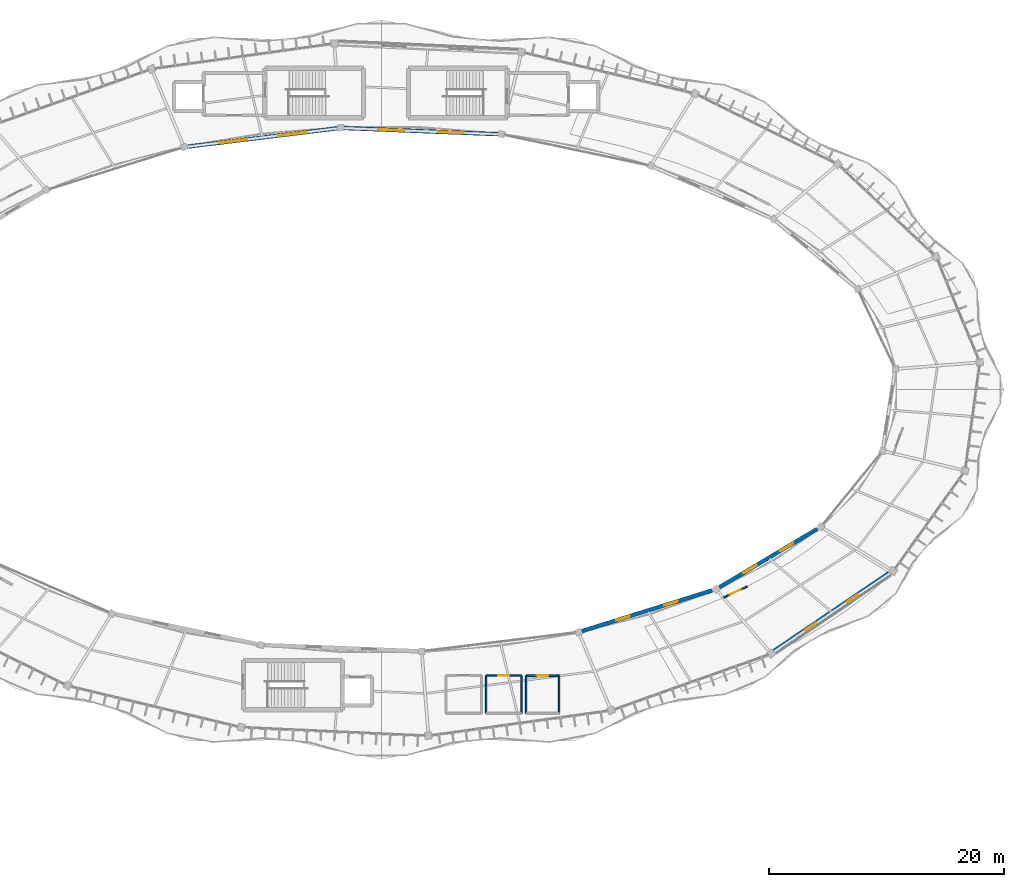
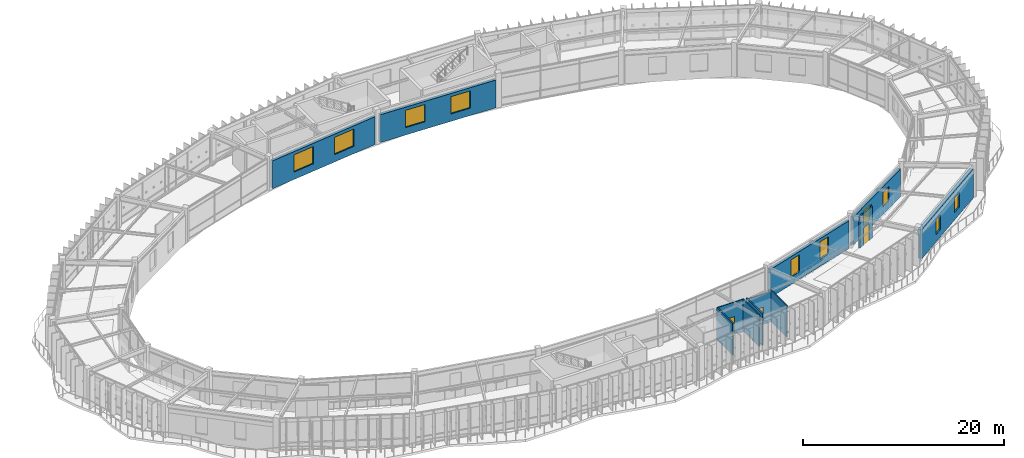
# One storey, part 70 of 83: 12 walls, 10 windows, 3 doors, 13 openings.
"""IFC4 building model written with IfcOpenShell, lengths in metres."""

import ifcopenshell
import ifcopenshell.guid

model = None  # the IFC model being written
_history = None  # IfcOwnerHistory: only IFC2X3 demands one
_inside = {}  # id of a spatial element -> (the spatial element, [elements in it])
_under = {}  # id of a project, library or spatial element -> (it, [spatial elements below it])
_declared = {}  # id of a project -> (the project, [libraries it declares])
_typed = {}  # id of a type object -> (the type object, [elements of that type])
_made_of = {}  # id of a material, layer set ... -> (it, [elements and type objects made of it])


def new_model(schema):
    """Start an empty IFC model of exactly this schema.

    Asked for "IFC4X3", IfcOpenShell would pick the latest addendum, in which some entities
    have other attributes; the version numbers below select the first issue.
    IFC2X3 requires an IfcOwnerHistory on every rooted entity: one is made here for all.
    """
    global model, _history
    if schema == "IFC4X3":
        model = ifcopenshell.file(schema_version=(4, 3, 0, 0))
    else:
        model = ifcopenshell.file(schema=schema)
    _inside.clear()
    _under.clear()
    _declared.clear()
    _typed.clear()
    _made_of.clear()
    _history = None
    if model.schema == "IFC2X3":
        org = make("IfcOrganization", Name="unknown")
        user = make(
            "IfcPersonAndOrganization",
            ThePerson=make("IfcPerson", FamilyName="unknown"),
            TheOrganization=org,
        )
        app = make(
            "IfcApplication",
            ApplicationDeveloper=org,
            Version="unknown",
            ApplicationFullName="unknown",
            ApplicationIdentifier="unknown",
        )
        _history = make(
            "IfcOwnerHistory",
            OwningUser=user,
            OwningApplication=app,
            ChangeAction="ADDED",
            CreationDate=0,
        )
    return model


def make(cls, **values):
    """One entity of the class cls with the attributes given. An attribute that is None is left unset."""
    return model.create_entity(
        cls, **{name: value for name, value in values.items() if value is not None}
    )


def rooted(cls, **values):
    """An entity with a GlobalId (a new one), such as an element, a storey or a relation."""
    return make(cls, GlobalId=ifcopenshell.guid.new(), OwnerHistory=_history, **values)


def si_unit(unit_type, name, prefix=None):
    """IfcSIUnit, for example si_unit("LENGTHUNIT", "METRE", prefix="MILLI")."""
    return make("IfcSIUnit", UnitType=unit_type, Prefix=prefix, Name=name)


def assignment(units):
    """IfcUnitAssignment: the units of a project."""
    return None if units is None else make("IfcUnitAssignment", Units=units)


def point(xyz):
    """IfcCartesianPoint."""
    return None if xyz is None else make("IfcCartesianPoint", Coordinates=xyz)


def direction(xyz):
    """IfcDirection."""
    return None if xyz is None else make("IfcDirection", DirectionRatios=xyz)


def frame(location, z_axis=None, x_axis=None):
    """IfcAxis2Placement3D, a coordinate frame: its origin and axes. An axis left out is left unset."""
    return make(
        "IfcAxis2Placement3D",
        Location=point(location),
        Axis=direction(z_axis),
        RefDirection=direction(x_axis),
    )


def frame_2d(location, x_axis=None):
    """IfcAxis2Placement2D, a coordinate frame in the plane: its origin and x axis."""
    return make(
        "IfcAxis2Placement2D", Location=point(location), RefDirection=direction(x_axis)
    )


def origin():
    """The frame at (0, 0, 0) with its axes left unset."""
    return frame((0.0, 0.0, 0.0))


def place(relative_to, where):
    """IfcLocalPlacement: puts the frame where relative to a parent placement (None: the world)."""
    return make(
        "IfcLocalPlacement", PlacementRelTo=relative_to, RelativePlacement=where
    )


def context(
    kind, dimensions, precision=None, world=None, true_north=None, identifier=None
):
    """IfcGeometricRepresentationContext, for example the 3D "Model" context."""
    return make(
        "IfcGeometricRepresentationContext",
        ContextIdentifier=identifier,
        ContextType=kind,
        CoordinateSpaceDimension=dimensions,
        Precision=precision,
        WorldCoordinateSystem=world,
        TrueNorth=true_north,
    )


def subcontext(parent, identifier, kind, view, scale=None):
    """IfcGeometricRepresentationSubContext, for example "Body" below "Model"."""
    return make(
        "IfcGeometricRepresentationSubContext",
        ContextIdentifier=identifier,
        ContextType=kind,
        ParentContext=parent,
        TargetScale=scale,
        TargetView=view,
    )


def project(units=None, contexts=None):
    """IfcProject with its units and contexts."""
    return rooted(
        "IfcProject",
        Name="project",
        RepresentationContexts=contexts,
        UnitsInContext=assignment(units),
    )


def spatial(cls, under=None, at=None, **own):
    """A site, building, storey or space (cls), placed at a placement, below another one or the project."""
    s = rooted(cls, ObjectPlacement=at, **own)
    if under is not None:
        _under.setdefault(under.id(), (under, []))[1].append(s)
    return s


def profile(cls, at=None, kind="AREA", **sizes):
    """A parametric profile (cls). Its sizes go by their IFC names, for example OverallWidth=200.0."""
    return make(cls, ProfileType=kind, Position=at, **sizes)


def rectangle(**sizes):
    """IfcRectangleProfileDef."""
    return profile("IfcRectangleProfileDef", **sizes)


def extrude(swept, where, along, depth):
    """IfcExtrudedAreaSolid: the profile swept, set in the frame where, extruded along a direction by depth."""
    return make(
        "IfcExtrudedAreaSolid",
        SweptArea=swept,
        Position=where,
        ExtrudedDirection=direction(along),
        Depth=depth,
    )


def shape(context_of_items, identifier, shape_type, items):
    """IfcShapeRepresentation: the items that make up one representation, for example the "Body"."""
    return make(
        "IfcShapeRepresentation",
        ContextOfItems=context_of_items,
        RepresentationIdentifier=identifier,
        RepresentationType=shape_type,
        Items=items,
    )


def material(Name=None, Category=None):
    """IfcMaterial."""
    return make("IfcMaterial", Name=Name, Category=Category)


def layer(
    of_material, thickness, ventilated=None, Name=None, Category=None, Priority=None
):
    """IfcMaterialLayer: one layer of a wall or slab, of a material (None: an air gap)."""
    return make(
        "IfcMaterialLayer",
        Material=of_material,
        LayerThickness=thickness,
        IsVentilated=ventilated,
        Name=Name,
        Category=Category,
        Priority=Priority,
    )


def layer_set(layers, Name=None):
    """IfcMaterialLayerSet."""
    return make("IfcMaterialLayerSet", MaterialLayers=layers, LayerSetName=Name)


def made_of(thing, what):
    """Note that an element or type object is made of a material, layer set ...; save() writes the relation."""
    if what is not None:
        _made_of.setdefault(what.id(), (what, []))[1].append(thing)
    return thing


def type_object(cls, material=None, **own):
    """A type object (cls), such as IfcWallType, which elements share."""
    return made_of(rooted(cls, **own), material)


def element(
    cls,
    number,
    at=None,
    inside=None,
    cuts=None,
    type_object=None,
    material=None,
    context=None,
    identifier="Body",
    shape_type=None,
    held_by="IfcProductDefinitionShape",
    body=None,
    shapes=None,
    **own,
):
    """One element of the class cls, such as IfcWall. Its Tag is "e" and its number.

    at: its placement. inside: the storey or other place that contains it. cuts: it is an
    opening in that element (IfcRelVoidsElement). A single representation is given by context,
    identifier, shape_type and body (its items); several are given by shapes. held_by: the class
    of the entity that holds the representations. save() writes the other relations.
    """
    e = rooted(cls, Tag="e%d" % number, ObjectPlacement=at, **own)
    if body is not None:
        shapes = [shape(context, identifier, shape_type, body)]
    if shapes is not None:
        e.Representation = make(held_by, Representations=shapes)
    if inside is not None:
        _inside.setdefault(inside.id(), (inside, []))[1].append(e)
    if cuts is not None:
        rooted(
            "IfcRelVoidsElement", RelatingBuildingElement=cuts, RelatedOpeningElement=e
        )
    if type_object is not None:
        _typed.setdefault(type_object.id(), (type_object, []))[1].append(e)
    return made_of(e, material)


def fill(opening, filler):
    """IfcRelFillsElement: the door or window that sits in an opening."""
    return rooted(
        "IfcRelFillsElement",
        RelatingOpeningElement=opening,
        RelatedBuildingElement=filler,
    )


def aggregate(whole, parts):
    """IfcRelAggregates: a whole, such as a stair, and the parts it consists of."""
    return rooted("IfcRelAggregates", RelatingObject=whole, RelatedObjects=parts)


def save(model, path):
    """Write the relations noted so far, then the file.

    IfcRelAggregates (storeys below a building ...), IfcRelContainedInSpatialStructure (elements
    in a storey), IfcRelDefinesByType, IfcRelAssociatesMaterial and IfcRelDeclares: one each for
    every whole, place, type object, material and project.
    """
    for whole, parts in _under.values():
        aggregate(whole, parts)
    for where, things in _inside.values():
        rooted(
            "IfcRelContainedInSpatialStructure",
            RelatedElements=things,
            RelatingStructure=where,
        )
    for kind, things in _typed.values():
        rooted("IfcRelDefinesByType", RelatedObjects=things, RelatingType=kind)
    for what, things in _made_of.values():
        rooted("IfcRelAssociatesMaterial", RelatedObjects=things, RelatingMaterial=what)
    for by, libraries in _declared.values():
        rooted("IfcRelDeclares", RelatingContext=by, RelatedDefinitions=libraries)
    model.write(path)


model = new_model("IFC4")

# Units and contexts
model_context = context("Model", 3, precision=1e-05, world=origin(), true_north=direction((0.0, 1.0)))
body_context = subcontext(model_context, "Body", "Model", "MODEL_VIEW")
ifc_project = project(units=[si_unit("LENGTHUNIT", "METRE"), si_unit("AREAUNIT", "SQUARE_METRE"), si_unit("VOLUMEUNIT", "CUBIC_METRE"), si_unit("PLANEANGLEUNIT", "RADIAN"), si_unit("MASSUNIT", "GRAM", prefix="KILO"), si_unit("THERMODYNAMICTEMPERATUREUNIT", "KELVIN"), si_unit("POWERUNIT", "WATT")], contexts=[model_context])

# Site, building, storey
site_placement = place(None, origin())
site = spatial("IfcSite", under=ifc_project, at=site_placement, CompositionType="ELEMENT")
building_placement = place(site_placement, origin())
building = spatial("IfcBuilding", under=site, at=building_placement, Name="Darbajah Civic Hall", CompositionType="ELEMENT")
storey_placement = place(building_placement, frame((0.0, 0.0, 18.0)))
storey = spatial("IfcBuildingStorey", under=building, at=storey_placement, Name="L04", CompositionType="ELEMENT", Elevation=18.0)

# Wall, openings, windows
ifc_material_1 = material(Name="Qatari Desert Limestone Ashlar", Category="masonry")
ifc_layer_1 = layer(ifc_material_1, 0.340087890625, Name="Qatari Desert Limestone Ashlar")
ifc_layer_set_1 = layer_set([ifc_layer_1], Name="Qatari Desert Limestone Ashlar")
wall_type_1 = type_object("IfcWallType", Name="Exterior Wall 340mm", PredefinedType="SOLIDWALL", material=ifc_layer_set_1)
wall_1_placement = place(storey_placement, frame((99.0, 111.496826171875, 0.0), z_axis=(0.0, 0.0, 1.0), x_axis=(-0.999197725269, 0.040048792968, 0.0)))
wall_1 = element("IfcWall", 1, at=wall_1_placement, inside=storey, type_object=wall_type_1, Name="L04 exterior wall EW-340", PredefinedType="SOLIDWALL", context=body_context, shape_type="SweptSolid", body=[
    extrude(rectangle(XDim=13.03955078125, YDim=0.340087890625, at=frame_2d((6.519775390625, 0.0))), origin(), (0.0, 0.0, 1.0), 3.386962890625),
])
opening_1_placement = place(wall_1_placement, frame((2.8798828125, 0.0, 0.89990234375)))
opening_1 = element("IfcOpeningElement", 2, at=opening_1_placement, cuts=wall_1, Name="Opening WN-07", PredefinedType="OPENING", context=body_context, shape_type="SweptSolid", body=[
    extrude(rectangle(XDim=2.199951171875, YDim=2.10009765625, at=frame_2d((1.10009765625, 1.050048828125))), frame((0.0, 0.179931640625, 0.0), z_axis=(0.0, -1.0, 0.0), x_axis=(1.0, 0.0, 0.0)), (0.0, 0.0, 1.0), 0.360107421875),
])
opening_2_placement = place(wall_1_placement, frame((7.959716796875, 0.0, 0.89990234375)))
opening_2 = element("IfcOpeningElement", 3, at=opening_2_placement, cuts=wall_1, Name="Opening WN-07", PredefinedType="OPENING", context=body_context, shape_type="SweptSolid", body=[
    extrude(rectangle(XDim=2.199951171875, YDim=2.10009765625, at=frame_2d((1.10009765625, 1.050048828125))), frame((0.0, 0.179931640625, 0.0), z_axis=(0.0, -1.0, 0.0), x_axis=(1.0, 0.0, 0.0)), (0.0, 0.0, 1.0), 0.360107421875),
])
ifc_material_2 = material(Name="Low-E Solar Control Double Glazing", Category="glass")
window_type_1 = type_object("IfcWindowType", Name="Facade Window 2200x2100", PartitioningType="DOUBLE_PANEL_VERTICAL", PredefinedType="WINDOW", material=ifc_material_2)
window_1_placement = place(opening_1_placement, origin())
window_1 = element("IfcWindow", 4, at=window_1_placement, inside=storey, type_object=window_type_1, Name="L04 facade window WN-07", OverallHeight=2.10009765625, OverallWidth=2.199951171875, PartitioningType="SINGLE_PANEL", PredefinedType="WINDOW", context=body_context, shape_type="SweptSolid", body=[
    extrude(rectangle(XDim=2.199951171875, YDim=2.10009765625, at=frame_2d((1.10009765625, 1.050048828125))), frame((0.0, 0.030029296875, 0.0), z_axis=(0.0, -1.0, 0.0), x_axis=(1.0, 0.0, 0.0)), (0.0, 0.0, 1.0), 0.06005859375),
])
fill(opening_1, window_1)
window_2_placement = place(opening_2_placement, origin())
window_2 = element("IfcWindow", 5, at=window_2_placement, inside=storey, type_object=window_type_1, Name="L04 facade window WN-07", OverallHeight=2.10009765625, OverallWidth=2.199951171875, PartitioningType="SINGLE_PANEL", PredefinedType="WINDOW", context=body_context, shape_type="SweptSolid", body=[
    extrude(rectangle(XDim=2.199951171875, YDim=2.10009765625, at=frame_2d((1.10009765625, 1.050048828125))), frame((0.0, 0.030029296875, 0.0), z_axis=(0.0, -1.0, 0.0), x_axis=(1.0, 0.0, 0.0)), (0.0, 0.0, 1.0), 0.06005859375),
])
fill(opening_2, window_2)

wall_2_placement = place(storey_placement, frame((85.376953125, 111.996337890625, 0.0), z_axis=(0.0, 0.0, 1.0), x_axis=(-0.992611500808, -0.12133593229, 0.0)))
wall_2 = element("IfcWall", 6, at=wall_2_placement, inside=storey, type_object=wall_type_1, Name="L04 exterior wall EW-340", PredefinedType="SOLIDWALL", context=body_context, shape_type="SweptSolid", body=[
    extrude(rectangle(XDim=12.794921875, YDim=0.340087890625, at=frame_2d((6.3974609375, 0.0))), origin(), (0.0, 0.0, 1.0), 3.386962890625),
])
opening_3_placement = place(wall_2_placement, frame((2.6650390625, 0.0, 0.89990234375)))
opening_3 = element("IfcOpeningElement", 7, at=opening_3_placement, cuts=wall_2, Name="Opening WN-08", PredefinedType="OPENING", context=body_context, shape_type="SweptSolid", body=[
    extrude(rectangle(XDim=2.39990234375, YDim=2.10009765625, at=frame_2d((1.199951171875, 1.050048828125))), frame((0.0, 0.179931640625, 0.0), z_axis=(0.0, -1.0, 0.0), x_axis=(1.0, 0.0, 0.0)), (0.0, 0.0, 1.0), 0.360107421875),
])
opening_4_placement = place(wall_2_placement, frame((7.72998046875, 0.0, 0.89990234375)))
opening_4 = element("IfcOpeningElement", 8, at=opening_4_placement, cuts=wall_2, Name="Opening WN-08", PredefinedType="OPENING", context=body_context, shape_type="SweptSolid", body=[
    extrude(rectangle(XDim=2.39990234375, YDim=2.10009765625, at=frame_2d((1.199951171875, 1.050048828125))), frame((0.0, 0.179931640625, 0.0), z_axis=(0.0, -1.0, 0.0), x_axis=(1.0, 0.0, 0.0)), (0.0, 0.0, 1.0), 0.360107421875),
])
window_type_2 = type_object("IfcWindowType", Name="Facade Window 2400x2100", PartitioningType="DOUBLE_PANEL_VERTICAL", PredefinedType="WINDOW", material=ifc_material_2)
window_3_placement = place(opening_3_placement, origin())
window_3 = element("IfcWindow", 9, at=window_3_placement, inside=storey, type_object=window_type_2, Name="L04 facade window WN-08", OverallHeight=2.10009765625, OverallWidth=2.39990234375, PartitioningType="SINGLE_PANEL", PredefinedType="WINDOW", context=body_context, shape_type="SweptSolid", body=[
    extrude(rectangle(XDim=2.39990234375, YDim=2.10009765625, at=frame_2d((1.199951171875, 1.050048828125))), frame((0.0, 0.030029296875, 0.0), z_axis=(0.0, -1.0, 0.0), x_axis=(1.0, 0.0, 0.0)), (0.0, 0.0, 1.0), 0.06005859375),
])
fill(opening_3, window_3)
window_4_placement = place(opening_4_placement, origin())
window_4 = element("IfcWindow", 10, at=window_4_placement, inside=storey, type_object=window_type_2, Name="L04 facade window WN-08", OverallHeight=2.10009765625, OverallWidth=2.39990234375, PartitioningType="SINGLE_PANEL", PredefinedType="WINDOW", context=body_context, shape_type="SweptSolid", body=[
    extrude(rectangle(XDim=2.39990234375, YDim=2.10009765625, at=frame_2d((1.199951171875, 1.050048828125))), frame((0.0, 0.030029296875, 0.0), z_axis=(0.0, -1.0, 0.0), x_axis=(1.0, 0.0, 0.0)), (0.0, 0.0, 1.0), 0.06005859375),
])
fill(opening_4, window_4)

wall_3_placement = place(storey_placement, frame((106.148681640625, 69.287109375, 0.0), z_axis=(0.0, 0.0, 1.0), x_axis=(0.95461610315, 0.297839043119, 0.0)))
wall_3 = element("IfcWall", 11, at=wall_3_placement, inside=storey, type_object=wall_type_1, Name="L04 exterior wall EW-340", PredefinedType="SOLIDWALL", context=body_context, shape_type="SweptSolid", body=[
    extrude(rectangle(XDim=11.575927734375, YDim=0.340087890625, at=frame_2d((5.7880859375, 0.0))), origin(), (0.0, 0.0, 1.0), 3.386962890625),
])
opening_5_placement = place(wall_3_placement, frame((3.05859375, 0.0, 0.89990234375)))
opening_5 = element("IfcOpeningElement", 12, at=opening_5_placement, cuts=wall_3, Name="Opening WN-01", PredefinedType="OPENING", context=body_context, shape_type="SweptSolid", body=[
    extrude(rectangle(XDim=1.199951171875, YDim=2.10009765625, at=frame_2d((0.60009765625, 1.050048828125))), frame((0.0, 0.179931640625, 0.0), z_axis=(0.0, -1.0, 0.0), x_axis=(1.0, 0.0, 0.0)), (0.0, 0.0, 1.0), 0.360107421875),
])
opening_6_placement = place(wall_3_placement, frame((7.3173828125, 0.0, 0.89990234375)))
opening_6 = element("IfcOpeningElement", 13, at=opening_6_placement, cuts=wall_3, Name="Opening WN-01", PredefinedType="OPENING", context=body_context, shape_type="SweptSolid", body=[
    extrude(rectangle(XDim=1.199951171875, YDim=2.10009765625, at=frame_2d((0.60009765625, 1.050048828125))), frame((0.0, 0.179931640625, 0.0), z_axis=(0.0, -1.0, 0.0), x_axis=(1.0, 0.0, 0.0)), (0.0, 0.0, 1.0), 0.360107421875),
])
window_type_3 = type_object("IfcWindowType", Name="Facade Window 1200x2100", PartitioningType="SINGLE_PANEL", PredefinedType="WINDOW", material=ifc_material_2)
window_5_placement = place(opening_5_placement, origin())
window_5 = element("IfcWindow", 14, at=window_5_placement, inside=storey, type_object=window_type_3, Name="L04 facade window WN-01", OverallHeight=2.10009765625, OverallWidth=1.199951171875, PartitioningType="SINGLE_PANEL", PredefinedType="WINDOW", context=body_context, shape_type="SweptSolid", body=[
    extrude(rectangle(XDim=1.199951171875, YDim=2.10009765625, at=frame_2d((0.60009765625, 1.050048828125))), frame((0.0, 0.030029296875, 0.0), z_axis=(0.0, -1.0, 0.0), x_axis=(1.0, 0.0, 0.0)), (0.0, 0.0, 1.0), 0.06005859375),
])
fill(opening_5, window_5)
window_6_placement = place(opening_6_placement, origin())
window_6 = element("IfcWindow", 15, at=window_6_placement, inside=storey, type_object=window_type_3, Name="L04 facade window WN-01", OverallHeight=2.10009765625, OverallWidth=1.199951171875, PartitioningType="SINGLE_PANEL", PredefinedType="WINDOW", context=body_context, shape_type="SweptSolid", body=[
    extrude(rectangle(XDim=1.199951171875, YDim=2.10009765625, at=frame_2d((0.60009765625, 1.050048828125))), frame((0.0, 0.030029296875, 0.0), z_axis=(0.0, -1.0, 0.0), x_axis=(1.0, 0.0, 0.0)), (0.0, 0.0, 1.0), 0.06005859375),
])
fill(opening_6, window_6)

wall_4_placement = place(storey_placement, frame((117.8203125, 73.00634765625, 0.0), z_axis=(0.0, 0.0, 1.0), x_axis=(0.858944411185, 0.512068841558, 0.0)))
wall_4 = element("IfcWall", 16, at=wall_4_placement, inside=storey, type_object=wall_type_1, Name="L04 exterior wall EW-340", PredefinedType="SOLIDWALL", context=body_context, shape_type="SweptSolid", body=[
    extrude(rectangle(XDim=9.66845703125, YDim=0.340087890625, at=frame_2d((4.834228515625, 0.0))), origin(), (0.0, 0.0, 1.0), 3.386962890625),
])
opening_7_placement = place(wall_4_placement, frame((2.356201171875, 0.0, 0.89990234375)))
opening_7 = element("IfcOpeningElement", 17, at=opening_7_placement, cuts=wall_4, Name="Opening WN-18", PredefinedType="OPENING", context=body_context, shape_type="SweptSolid", body=[
    extrude(rectangle(XDim=1.300048828125, YDim=1.800048828125, at=frame_2d((0.64990234375, 0.89990234375))), frame((0.0, 0.179931640625, 0.0), z_axis=(0.0, -1.0, 0.0), x_axis=(1.0, 0.0, 0.0)), (0.0, 0.0, 1.0), 0.360107421875),
])
opening_8_placement = place(wall_4_placement, frame((6.01220703125, 0.0, 0.89990234375)))
opening_8 = element("IfcOpeningElement", 18, at=opening_8_placement, cuts=wall_4, Name="Opening WN-18", PredefinedType="OPENING", context=body_context, shape_type="SweptSolid", body=[
    extrude(rectangle(XDim=1.300048828125, YDim=1.800048828125, at=frame_2d((0.64990234375, 0.89990234375))), frame((0.0, 0.179931640625, 0.0), z_axis=(0.0, -1.0, 0.0), x_axis=(1.0, 0.0, 0.0)), (0.0, 0.0, 1.0), 0.360107421875),
])
window_type_4 = type_object("IfcWindowType", Name="Facade Window 1300x1800", PartitioningType="SINGLE_PANEL", PredefinedType="WINDOW", material=ifc_material_2)
window_7_placement = place(opening_7_placement, origin())
window_7 = element("IfcWindow", 19, at=window_7_placement, inside=storey, type_object=window_type_4, Name="L04 facade window WN-18", OverallHeight=1.800048828125, OverallWidth=1.300048828125, PartitioningType="SINGLE_PANEL", PredefinedType="WINDOW", context=body_context, shape_type="SweptSolid", body=[
    extrude(rectangle(XDim=1.300048828125, YDim=1.800048828125, at=frame_2d((0.64990234375, 0.89990234375))), frame((0.0, 0.030029296875, 0.0), z_axis=(0.0, -1.0, 0.0), x_axis=(1.0, 0.0, 0.0)), (0.0, 0.0, 1.0), 0.06005859375),
])
fill(opening_7, window_7)
window_8_placement = place(opening_8_placement, origin())
window_8 = element("IfcWindow", 20, at=window_8_placement, inside=storey, type_object=window_type_4, Name="L04 facade window WN-18", OverallHeight=1.800048828125, OverallWidth=1.300048828125, PartitioningType="SINGLE_PANEL", PredefinedType="WINDOW", context=body_context, shape_type="SweptSolid", body=[
    extrude(rectangle(XDim=1.300048828125, YDim=1.800048828125, at=frame_2d((0.64990234375, 0.89990234375))), frame((0.0, 0.030029296875, 0.0), z_axis=(0.0, -1.0, 0.0), x_axis=(1.0, 0.0, 0.0)), (0.0, 0.0, 1.0), 0.06005859375),
])
fill(opening_8, window_8)

ifc_layer_2 = layer(ifc_material_1, 0.419921875, Name="Qatari Desert Limestone Ashlar")
ifc_layer_set_2 = layer_set([ifc_layer_2], Name="Qatari Desert Limestone Ashlar")
wall_type_2 = type_object("IfcWallType", Name="Exterior Wall 420mm", PredefinedType="SOLIDWALL", material=ifc_layer_set_2)
wall_5_placement = place(storey_placement, frame((122.498046875, 67.554931640625, 0.0), z_axis=(0.0, 0.0, 1.0), x_axis=(0.827970204845, 0.560772092644, 0.0)))
wall_5 = element("IfcWall", 21, at=wall_5_placement, inside=storey, type_object=wall_type_2, Name="L04 exterior wall EW-420", PredefinedType="SOLIDWALL", context=body_context, shape_type="SweptSolid", body=[
    extrude(rectangle(XDim=11.783203125, YDim=0.419921875, at=frame_2d((5.8916015625, 0.0))), origin(), (0.0, 0.0, 1.0), 3.52001953125),
])
opening_9_placement = place(wall_5_placement, frame((3.1943359375, 0.0, 0.89990234375)))
opening_9 = element("IfcOpeningElement", 22, at=opening_9_placement, cuts=wall_5, Name="Opening WN-17", PredefinedType="OPENING", context=body_context, shape_type="SweptSolid", body=[
    extrude(rectangle(XDim=1.10009765625, YDim=1.800048828125, at=frame_2d((0.550048828125, 0.89990234375))), frame((0.0, 0.219970703125, 0.0), z_axis=(0.0, -1.0, 0.0), x_axis=(1.0, 0.0, 0.0)), (0.0, 0.0, 1.0), 0.43994140625),
])
opening_10_placement = place(wall_5_placement, frame((7.48876953125, 0.0, 0.89990234375)))
opening_10 = element("IfcOpeningElement", 23, at=opening_10_placement, cuts=wall_5, Name="Opening WN-17", PredefinedType="OPENING", context=body_context, shape_type="SweptSolid", body=[
    extrude(rectangle(XDim=1.10009765625, YDim=1.800048828125, at=frame_2d((0.550048828125, 0.89990234375))), frame((0.0, 0.219970703125, 0.0), z_axis=(0.0, -1.0, 0.0), x_axis=(1.0, 0.0, 0.0)), (0.0, 0.0, 1.0), 0.43994140625),
])
window_type_5 = type_object("IfcWindowType", Name="Facade Window 1100x1800", PartitioningType="SINGLE_PANEL", PredefinedType="WINDOW", material=ifc_material_2)
window_9_placement = place(opening_9_placement, origin())
window_9 = element("IfcWindow", 24, at=window_9_placement, inside=storey, type_object=window_type_5, Name="L04 facade window WN-17", OverallHeight=1.800048828125, OverallWidth=1.10009765625, PartitioningType="SINGLE_PANEL", PredefinedType="WINDOW", context=body_context, shape_type="SweptSolid", body=[
    extrude(rectangle(XDim=1.10009765625, YDim=1.800048828125, at=frame_2d((0.550048828125, 0.89990234375))), frame((0.0, 0.030029296875, 0.0), z_axis=(0.0, -1.0, 0.0), x_axis=(1.0, 0.0, 0.0)), (0.0, 0.0, 1.0), 0.06005859375),
])
fill(opening_9, window_9)
window_10_placement = place(opening_10_placement, origin())
window_10 = element("IfcWindow", 25, at=window_10_placement, inside=storey, type_object=window_type_5, Name="L04 facade window WN-17", OverallHeight=1.800048828125, OverallWidth=1.10009765625, PartitioningType="SINGLE_PANEL", PredefinedType="WINDOW", context=body_context, shape_type="SweptSolid", body=[
    extrude(rectangle(XDim=1.10009765625, YDim=1.800048828125, at=frame_2d((0.550048828125, 0.89990234375))), frame((0.0, 0.030029296875, 0.0), z_axis=(0.0, -1.0, 0.0), x_axis=(1.0, 0.0, 0.0)), (0.0, 0.0, 1.0), 0.06005859375),
])
fill(opening_10, window_10)

# Wall, opening, door
ifc_material_3 = material(Name="Acoustic Gypsum Partition")
ifc_layer_3 = layer(ifc_material_3, 0.114990234375, Name="Acoustic Gypsum Partition")
ifc_layer_set_3 = layer_set([ifc_layer_3], Name="Acoustic Gypsum Partition")
wall_type_3 = type_object("IfcWallType", Name="Interior Partition 115mm", PredefinedType="PARTITIONING", material=ifc_layer_set_3)
wall_6_placement = place(storey_placement, frame((98.0, 65.5, 0.0), z_axis=(0.0, 0.0, 1.0), x_axis=(1.0, 0.0, 0.0)))
wall_6 = element("IfcWall", 26, at=wall_6_placement, inside=storey, type_object=wall_type_3, Name="L04 interior partition L04-WCF", PredefinedType="PARTITIONING", context=body_context, shape_type="SweptSolid", body=[
    extrude(rectangle(XDim=3.0, YDim=0.114990234375, at=frame_2d((1.5, 0.0))), origin(), (0.0, 0.0, 1.0), 3.860107421875),
])
opening_11_placement = place(wall_6_placement, frame((1.050048828125, 0.0, 0.0)))
opening_11 = element("IfcOpeningElement", 27, at=opening_11_placement, cuts=wall_6, Name="Opening D-0250", PredefinedType="OPENING", context=body_context, shape_type="SweptSolid", body=[
    extrude(rectangle(XDim=0.89990234375, YDim=2.10009765625, at=frame_2d((0.449951171875, 1.050048828125))), frame((0.0, 0.0673828125, 0.0), z_axis=(0.0, -1.0, 0.0), x_axis=(1.0, 0.0, 0.0)), (0.0, 0.0, 1.0), 0.135009765625),
])
ifc_material_4 = material(Name="Oak Washroom Door")
door_type_1 = type_object("IfcDoorType", Name="Interior Door 900x2100", OperationType="NOTDEFINED", PredefinedType="DOOR", material=ifc_material_4)
door_1_placement = place(opening_11_placement, origin())
door_1 = element("IfcDoor", 28, at=door_1_placement, inside=storey, type_object=door_type_1, Name="L04 L04-WCF door D-0250", OperationType="SINGLE_SWING_LEFT", OverallHeight=2.10009765625, OverallWidth=0.89990234375, PredefinedType="DOOR", context=body_context, shape_type="SweptSolid", body=[
    extrude(rectangle(XDim=0.89990234375, YDim=2.10009765625, at=frame_2d((0.449951171875, 1.050048828125))), frame((0.0, 0.02490234375, 0.0), z_axis=(0.0, -1.0, 0.0), x_axis=(1.0, 0.0, 0.0)), (0.0, 0.0, 1.0), 0.050048828125),
])
fill(opening_11, door_1)

ifc_material_5 = material(Name="Gypsum Plasterboard on Steel Stud", Category="steel")
ifc_layer_4 = layer(ifc_material_5, 0.135009765625, Name="Gypsum Plasterboard on Steel Stud")
ifc_layer_set_4 = layer_set([ifc_layer_4], Name="Gypsum Plasterboard on Steel Stud")
wall_type_4 = type_object("IfcWallType", Name="Interior Partition 135mm", PredefinedType="PARTITIONING", material=ifc_layer_set_4)
wall_7_placement = place(storey_placement, frame((120.18603515625, 73.0751953125, 0.0), z_axis=(0.0, 0.0, 1.0), x_axis=(-0.904387889943, -0.426711312861, 0.0)))
wall_7 = element("IfcWall", 29, at=wall_7_placement, inside=storey, type_object=wall_type_4, Name="L04 interior partition L04-V1-01", PredefinedType="PARTITIONING", context=body_context, shape_type="SweptSolid", body=[
    extrude(rectangle(XDim=2.237060546875, YDim=0.135009765625, at=frame_2d((1.11865234375, 0.0))), origin(), (0.0, 0.0, 1.0), 3.860107421875),
])
opening_12_placement = place(wall_7_placement, frame((0.61865234375, 0.0, 0.0)))
opening_12 = element("IfcOpeningElement", 30, at=opening_12_placement, cuts=wall_7, Name="Opening D-0243", PredefinedType="OPENING", context=body_context, shape_type="SweptSolid", body=[
    extrude(rectangle(XDim=1.0, YDim=2.10009765625, at=frame_2d((0.5, 1.050048828125))), frame((0.0, 0.077392578125, 0.0), z_axis=(0.0, -1.0, 0.0), x_axis=(1.0, 0.0, 0.0)), (0.0, 0.0, 1.0), 0.155029296875),
])
ifc_material_6 = material(Name="Oak Suite Door")
door_type_2 = type_object("IfcDoorType", Name="Interior Door 1000x2100", OperationType="NOTDEFINED", PredefinedType="DOOR", material=ifc_material_6)
door_2_placement = place(opening_12_placement, origin())
door_2 = element("IfcDoor", 31, at=door_2_placement, inside=storey, type_object=door_type_2, Name="L04 L04-V1-01 door D-0243", OperationType="SINGLE_SWING_RIGHT", OverallHeight=2.10009765625, OverallWidth=1.0, PredefinedType="DOOR", context=body_context, shape_type="SweptSolid", body=[
    extrude(rectangle(XDim=1.0, YDim=2.10009765625, at=frame_2d((0.5, 1.050048828125))), frame((0.0, 0.02490234375, 0.0), z_axis=(0.0, -1.0, 0.0), x_axis=(1.0, 0.0, 0.0)), (0.0, 0.0, 1.0), 0.050048828125),
])
fill(opening_12, door_2)

# Walls
for number, where, z_axis, x_axis, name in (
    (32, (101.0, 62.300048828125, 0.0), (0.0, 0.0, 1.0), (0.0, 1.0, 0.0), "L04 restroom enclosure wall L04-WCF E"),
    (33, (98.0, 62.300048828125, 0.0), (0.0, 0.0, 1.0), (0.0, 1.0, 0.0), "L04 restroom enclosure wall L04-WCF W"),
    (34, (104.199951171875, 62.300048828125, 0.0), (0.0, 0.0, 1.0), (0.0, 1.0, 0.0), "L04 restroom enclosure wall L04-WCA E"),
    (35, (101.39990234375, 62.300048828125, 0.0), (0.0, 0.0, 1.0), (0.0, 1.0, 0.0), "L04 restroom enclosure wall L04-WCA W"),
):
    element("IfcWall", number, at=place(storey_placement, frame(where, z_axis=z_axis, x_axis=x_axis)), inside=storey, type_object=wall_type_4, Name=name, PredefinedType="PARTITIONING", context=body_context, shape_type="SweptSolid", body=[
        extrude(rectangle(XDim=3.199951171875, YDim=0.135009765625, at=frame_2d((1.60009765625, 0.0))), origin(), (0.0, 0.0, 1.0), 3.860107421875),
    ])

# Wall, opening, door
ifc_layer_5 = layer(ifc_material_5, 0.159912109375, Name="Gypsum Plasterboard on Steel Stud")
ifc_layer_set_5 = layer_set([ifc_layer_5], Name="Gypsum Plasterboard on Steel Stud")
wall_type_5 = type_object("IfcWallType", Name="Interior Partition 160mm", PredefinedType="PARTITIONING", material=ifc_layer_set_5)
wall_8_placement = place(storey_placement, frame((101.39990234375, 65.5, 0.0), z_axis=(0.0, 0.0, 1.0), x_axis=(1.0, 0.0, 0.0)))
wall_8 = element("IfcWall", 36, at=wall_8_placement, inside=storey, type_object=wall_type_5, Name="L04 interior partition L04-WCA", PredefinedType="PARTITIONING", context=body_context, shape_type="SweptSolid", body=[
    extrude(rectangle(XDim=2.800048828125, YDim=0.159912109375, at=frame_2d((1.39990234375, 0.0))), origin(), (0.0, 0.0, 1.0), 3.6640625),
])
opening_13_placement = place(wall_8_placement, frame((0.925048828125, 0.0, 0.0)))
opening_13 = element("IfcOpeningElement", 37, at=opening_13_placement, cuts=wall_8, Name="Opening D-0251", PredefinedType="OPENING", context=body_context, shape_type="SweptSolid", body=[
    extrude(rectangle(XDim=0.949951171875, YDim=2.10009765625, at=frame_2d((0.47509765625, 1.050048828125))), frame((0.0, 0.08984375, 0.0), z_axis=(0.0, -1.0, 0.0), x_axis=(1.0, 0.0, 0.0)), (0.0, 0.0, 1.0), 0.179931640625),
])
ifc_material_7 = material(Name="Accessible WC Door")
door_type_3 = type_object("IfcDoorType", Name="Interior Door 950x2100", OperationType="NOTDEFINED", PredefinedType="DOOR", material=ifc_material_7)
door_3_placement = place(opening_13_placement, origin())
door_3 = element("IfcDoor", 38, at=door_3_placement, inside=storey, type_object=door_type_3, Name="L04 L04-WCA door D-0251", OperationType="SINGLE_SWING_RIGHT", OverallHeight=2.10009765625, OverallWidth=0.949951171875, PredefinedType="DOOR", context=body_context, shape_type="SweptSolid", body=[
    extrude(rectangle(XDim=0.949951171875, YDim=2.10009765625, at=frame_2d((0.47509765625, 1.050048828125))), frame((0.0, 0.02490234375, 0.0), z_axis=(0.0, -1.0, 0.0), x_axis=(1.0, 0.0, 0.0)), (0.0, 0.0, 1.0), 0.050048828125),
])
fill(opening_13, door_3)

save(model, "model.ifc")
